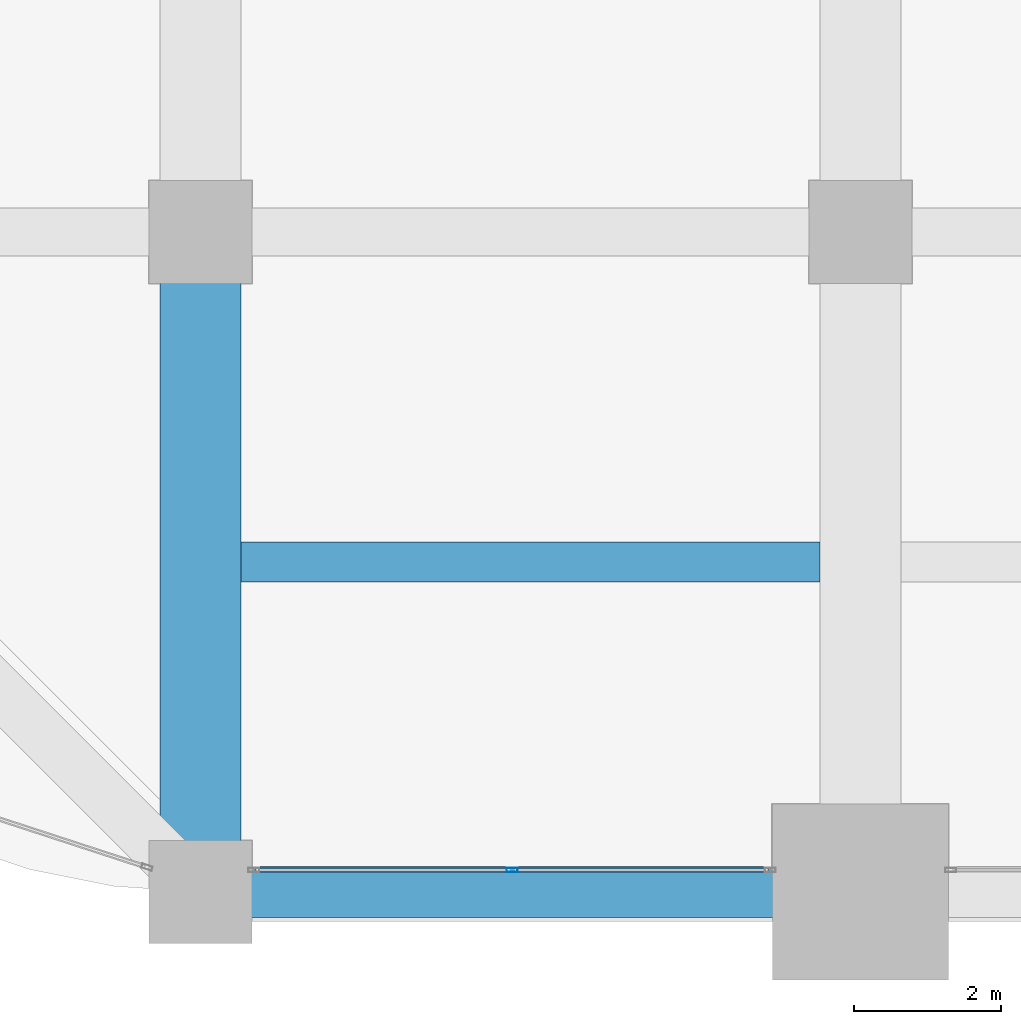
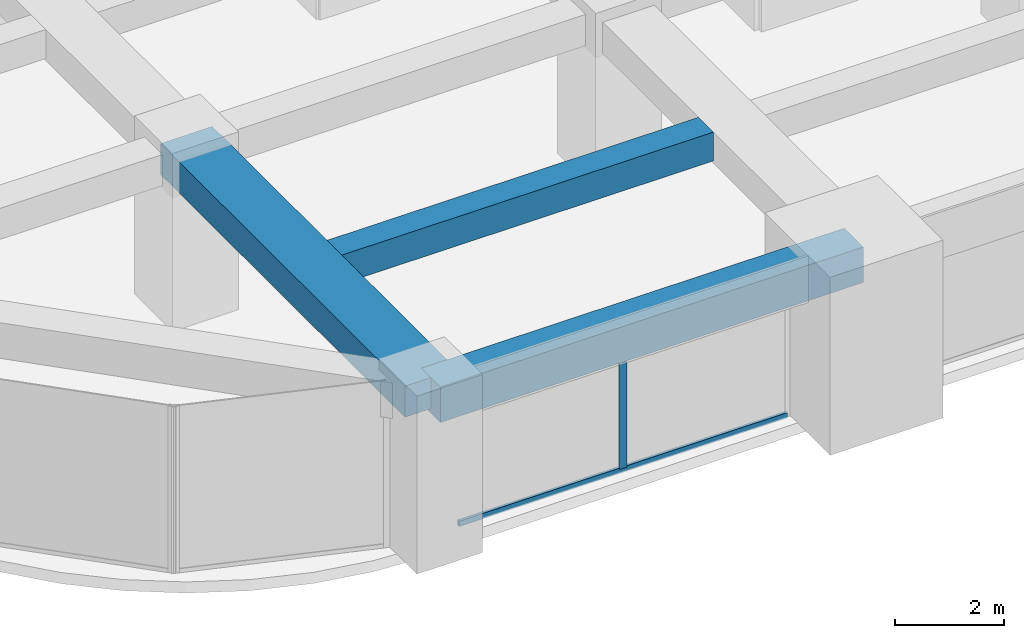
# One storey, part 3 of 32: 3 beams, 2 members, 1 element without a shape of its own.
"""IFC4 building model written with IfcOpenShell, lengths in metres."""

from ifc_helpers import new_model, si_unit, direction, frame, origin, origin_2d, place, context, subcontext, project, spatial, rectangle, hollow_rectangle, extrude, material, material_profile, profile_set, type_object, element, aggregate, save


model = new_model("IFC4")

# Units and contexts
model_context = context("Model", 3, precision=1e-05, world=origin(), true_north=direction((0.0, 1.0)))
body_context = subcontext(model_context, "Body", "Model", "MODEL_VIEW")
ifc_project = project(units=[si_unit("LENGTHUNIT", "METRE"), si_unit("AREAUNIT", "SQUARE_METRE"), si_unit("VOLUMEUNIT", "CUBIC_METRE"), si_unit("PLANEANGLEUNIT", "RADIAN"), si_unit("MASSUNIT", "GRAM", prefix="KILO")], contexts=[model_context])

# Site, building, storey
site_placement = place(None, origin())
site = spatial("IfcSite", under=ifc_project, at=site_placement, CompositionType="ELEMENT")
building_placement = place(site_placement, origin())
building = spatial("IfcBuilding", under=site, at=building_placement, Name="Zorevar Civic Tower", CompositionType="ELEMENT")
storey_placement = place(building_placement, frame((0.0, 0.0, 202.199951171875)))
storey = spatial("IfcBuildingStorey", under=building, at=storey_placement, Name="L49", CompositionType="ELEMENT", Elevation=202.199951171875)

# Beams
ifc_material_1 = material(Name="Concrete C50/60", Category="concrete")
ifc_material_profile_1 = material_profile(ifc_material_1, rectangle(XDim=1.10009765625, YDim=0.699951171875, at=origin_2d()), Name="RC 1100x700")
ifc_profile_set_1 = profile_set([ifc_material_profile_1], Name="Concrete C50/60")
beam_type_1 = type_object("IfcBeamType", Name="Beam RC 1100x700", PredefinedType="BEAM", material=ifc_profile_set_1)
beam_1_placement = place(storey_placement, frame((9.0, 0.0, 3.400146484375), z_axis=(0.0, 1.0, 0.0), x_axis=(-1.0, 0.0, 0.0)))
element("IfcBeam", 1, at=beam_1_placement, inside=storey, type_object=beam_type_1, Name="Girder L50", PredefinedType="BEAM", context=body_context, shape_type="SweptSolid", body=[
    extrude(rectangle(XDim=1.10009765625, YDim=0.699951171875, at=origin_2d()), origin(), (0.0, 0.0, 1.0), 9.0),
])
ifc_material_2 = material(Name="Concrete C50/60", Category="concrete")
ifc_material_profile_2 = material_profile(ifc_material_2, rectangle(XDim=0.550048828125, YDim=0.64990234375, at=origin_2d()), Name="RC 550x650")
ifc_profile_set_2 = profile_set([ifc_material_profile_2], Name="Concrete C50/60")
beam_type_2 = type_object("IfcBeamType", Name="Beam RC 550x650", PredefinedType="BEAM", material=ifc_profile_set_2)
beam_2_placement = place(storey_placement, frame((9.550048828125, 4.5, 3.425048828125), z_axis=(1.0, 0.0, 0.0), x_axis=(0.0, 1.0, 0.0)))
element("IfcBeam", 2, at=beam_2_placement, inside=storey, type_object=beam_type_2, Name="Secondary beam L50", PredefinedType="BEAM", context=body_context, shape_type="SweptSolid", body=[
    extrude(rectangle(XDim=0.550048828125, YDim=0.64990234375, at=origin_2d()), origin(), (0.0, 0.0, 1.0), 7.89990234375),
])

# Curtain wall, members
ifc_material_3 = material(Name="Dark grey solar-control glass in black aluminium frame", Category="aluminium")
curtain_wall_type = type_object("IfcCurtainWallType", Name="Curtain wall CW4 high zone", PredefinedType="NOTDEFINED", material=ifc_material_3)
curtain_wall_placement = place(storey_placement, origin())
curtain_wall = element("IfcCurtainWall", 3, at=curtain_wall_placement, inside=storey, type_object=curtain_wall_type, Name="CW4 L49", PredefinedType="NOTDEFINED")
ifc_material_4 = material(Name="Aluminium, black anodised", Category="aluminium")
ifc_material_profile_3 = material_profile(ifc_material_4, hollow_rectangle(XDim=0.06005859375, YDim=0.14990234375, WallThickness=0.00390625, at=origin_2d()), Name="AL 150x60x4")
ifc_profile_set_3 = profile_set([ifc_material_profile_3], Name="Aluminium, black anodised")
member_type_1 = type_object("IfcMemberType", Name="CW4 mullion AL 150x60x4", PredefinedType="MULLION", material=ifc_profile_set_3)
member_1_placement = place(storey_placement, frame((13.25, 0.300048828125, 0.06005859375), z_axis=(0.0, 0.0, 1.0), x_axis=(0.0, 1.0, 0.0)))
member_1 = element("IfcMember", 4, at=member_1_placement, type_object=member_type_1, Name="CW4 mullion 2", PredefinedType="MULLION", context=body_context, shape_type="SweptSolid", body=[
    extrude(hollow_rectangle(XDim=0.06005859375, YDim=0.14990234375, WallThickness=0.00390625, at=origin_2d()), origin(), (0.0, 0.0, 1.0), 2.889892578125),
])
ifc_material_5 = material(Name="Aluminium, black anodised", Category="aluminium")
ifc_material_profile_4 = material_profile(ifc_material_5, hollow_rectangle(XDim=0.06005859375, YDim=0.1201171875, WallThickness=0.0029296875, at=origin_2d()), Name="AL 120x60x3")
ifc_profile_set_4 = profile_set([ifc_material_profile_4], Name="Aluminium, black anodised")
member_type_2 = type_object("IfcMemberType", Name="CW4 transom AL 120x60x3", PredefinedType="USERDEFINED", material=ifc_profile_set_4)
member_2_placement = place(storey_placement, frame((9.760009765625, 0.300048828125, 0.030029296875), z_axis=(1.0, 0.0, 0.0), x_axis=(0.0, 1.0, 0.0)))
member_2 = element("IfcMember", 5, at=member_2_placement, type_object=member_type_2, Name="CW4 sill transom", ObjectType="TRANSOM", PredefinedType="USERDEFINED", context=body_context, shape_type="SweptSolid", body=[
    extrude(hollow_rectangle(XDim=0.06005859375, YDim=0.1201171875, WallThickness=0.0029296875, at=origin_2d()), origin(), (0.0, 0.0, 1.0), 6.97998046875),
])
aggregate(curtain_wall, [member_1, member_2])

# Beam
ifc_material_6 = material(Name="Concrete C50/60", Category="concrete")
ifc_material_profile_5 = material_profile(ifc_material_6, rectangle(XDim=0.699951171875, YDim=0.800048828125, at=origin_2d()), Name="RC 700x800")
ifc_profile_set_5 = profile_set([ifc_material_profile_5], Name="Concrete C50/60")
beam_type_3 = type_object("IfcBeamType", Name="Edge beam RC 700x800", PredefinedType="SPANDREL", material=ifc_profile_set_5)
beam_3_placement = place(storey_placement, frame((9.0, 0.0, 3.35009765625), z_axis=(1.0, 0.0, 0.0), x_axis=(0.0, 1.0, 0.0)))
element("IfcBeam", 6, at=beam_3_placement, inside=storey, type_object=beam_type_3, Name="Edge beam L50", PredefinedType="SPANDREL", context=body_context, shape_type="SweptSolid", body=[
    extrude(rectangle(XDim=0.699951171875, YDim=0.800048828125, at=origin_2d()), origin(), (0.0, 0.0, 1.0), 9.0),
])

save(model, "model.ifc")
